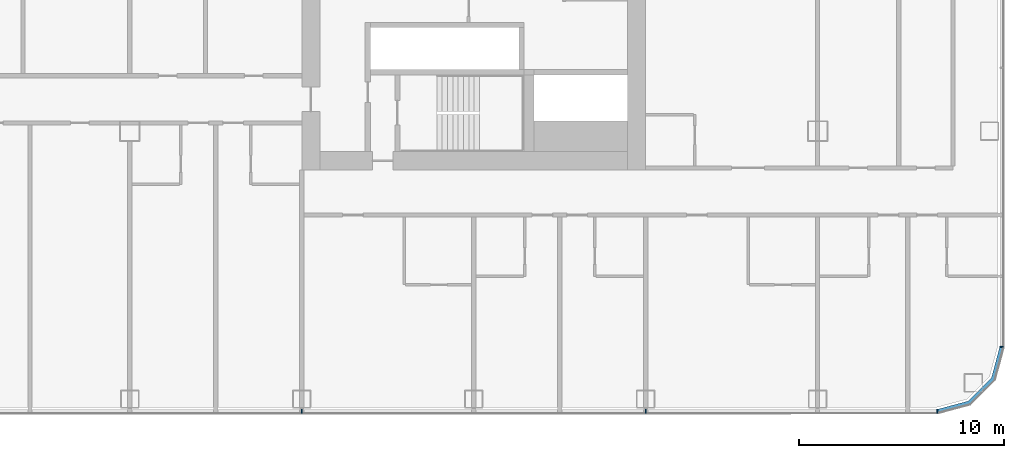
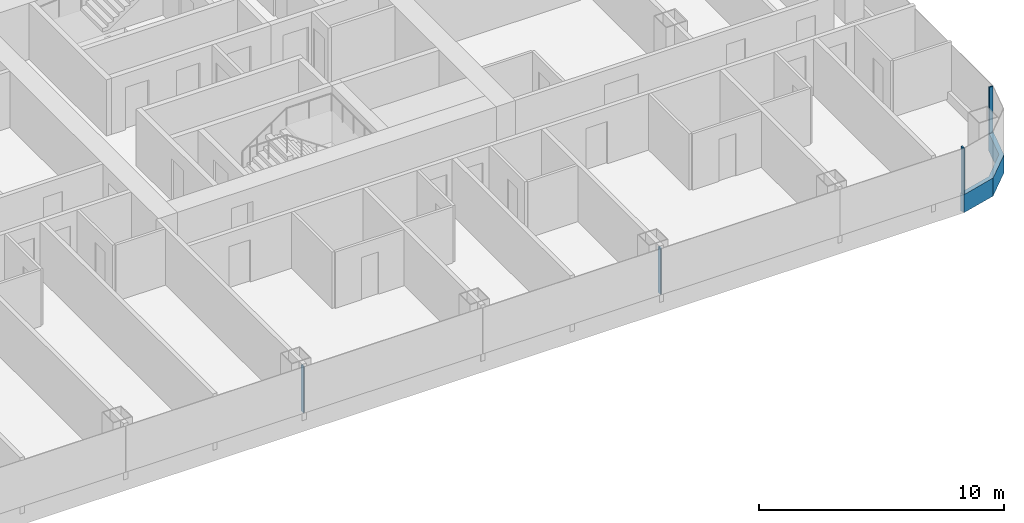
# One storey, part 9 of 28: 5 members, 3 elements without a shape of their own.
"""IFC4 building model written with IfcOpenShell, lengths in metres."""

import ifcopenshell
import ifcopenshell.guid

model = None  # the IFC model being written
_history = None  # IfcOwnerHistory: only IFC2X3 demands one
_inside = {}  # id of a spatial element -> (the spatial element, [elements in it])
_under = {}  # id of a project, library or spatial element -> (it, [spatial elements below it])
_declared = {}  # id of a project -> (the project, [libraries it declares])
_typed = {}  # id of a type object -> (the type object, [elements of that type])
_made_of = {}  # id of a material, layer set ... -> (it, [elements and type objects made of it])


def new_model(schema):
    """Start an empty IFC model of exactly this schema.

    Asked for "IFC4X3", IfcOpenShell would pick the latest addendum, in which some entities
    have other attributes; the version numbers below select the first issue.
    IFC2X3 requires an IfcOwnerHistory on every rooted entity: one is made here for all.
    """
    global model, _history
    if schema == "IFC4X3":
        model = ifcopenshell.file(schema_version=(4, 3, 0, 0))
    else:
        model = ifcopenshell.file(schema=schema)
    _inside.clear()
    _under.clear()
    _declared.clear()
    _typed.clear()
    _made_of.clear()
    _history = None
    if model.schema == "IFC2X3":
        org = make("IfcOrganization", Name="unknown")
        user = make(
            "IfcPersonAndOrganization",
            ThePerson=make("IfcPerson", FamilyName="unknown"),
            TheOrganization=org,
        )
        app = make(
            "IfcApplication",
            ApplicationDeveloper=org,
            Version="unknown",
            ApplicationFullName="unknown",
            ApplicationIdentifier="unknown",
        )
        _history = make(
            "IfcOwnerHistory",
            OwningUser=user,
            OwningApplication=app,
            ChangeAction="ADDED",
            CreationDate=0,
        )
    return model


def make(cls, **values):
    """One entity of the class cls with the attributes given. An attribute that is None is left unset."""
    return model.create_entity(
        cls, **{name: value for name, value in values.items() if value is not None}
    )


def rooted(cls, **values):
    """An entity with a GlobalId (a new one), such as an element, a storey or a relation."""
    return make(cls, GlobalId=ifcopenshell.guid.new(), OwnerHistory=_history, **values)


def si_unit(unit_type, name, prefix=None):
    """IfcSIUnit, for example si_unit("LENGTHUNIT", "METRE", prefix="MILLI")."""
    return make("IfcSIUnit", UnitType=unit_type, Prefix=prefix, Name=name)


def assignment(units):
    """IfcUnitAssignment: the units of a project."""
    return None if units is None else make("IfcUnitAssignment", Units=units)


def point(xyz):
    """IfcCartesianPoint."""
    return None if xyz is None else make("IfcCartesianPoint", Coordinates=xyz)


def direction(xyz):
    """IfcDirection."""
    return None if xyz is None else make("IfcDirection", DirectionRatios=xyz)


def frame(location, z_axis=None, x_axis=None):
    """IfcAxis2Placement3D, a coordinate frame: its origin and axes. An axis left out is left unset."""
    return make(
        "IfcAxis2Placement3D",
        Location=point(location),
        Axis=direction(z_axis),
        RefDirection=direction(x_axis),
    )


def frame_2d(location, x_axis=None):
    """IfcAxis2Placement2D, a coordinate frame in the plane: its origin and x axis."""
    return make(
        "IfcAxis2Placement2D", Location=point(location), RefDirection=direction(x_axis)
    )


def origin():
    """The frame at (0, 0, 0) with its axes left unset."""
    return frame((0.0, 0.0, 0.0))


def origin_2d():
    """The frame at (0, 0) in the plane with its x axis left unset."""
    return frame_2d((0.0, 0.0))


def place(relative_to, where):
    """IfcLocalPlacement: puts the frame where relative to a parent placement (None: the world)."""
    return make(
        "IfcLocalPlacement", PlacementRelTo=relative_to, RelativePlacement=where
    )


def context(
    kind, dimensions, precision=None, world=None, true_north=None, identifier=None
):
    """IfcGeometricRepresentationContext, for example the 3D "Model" context."""
    return make(
        "IfcGeometricRepresentationContext",
        ContextIdentifier=identifier,
        ContextType=kind,
        CoordinateSpaceDimension=dimensions,
        Precision=precision,
        WorldCoordinateSystem=world,
        TrueNorth=true_north,
    )


def subcontext(parent, identifier, kind, view, scale=None):
    """IfcGeometricRepresentationSubContext, for example "Body" below "Model"."""
    return make(
        "IfcGeometricRepresentationSubContext",
        ContextIdentifier=identifier,
        ContextType=kind,
        ParentContext=parent,
        TargetScale=scale,
        TargetView=view,
    )


def project(units=None, contexts=None):
    """IfcProject with its units and contexts."""
    return rooted(
        "IfcProject",
        Name="project",
        RepresentationContexts=contexts,
        UnitsInContext=assignment(units),
    )


def spatial(cls, under=None, at=None, **own):
    """A site, building, storey or space (cls), placed at a placement, below another one or the project."""
    s = rooted(cls, ObjectPlacement=at, **own)
    if under is not None:
        _under.setdefault(under.id(), (under, []))[1].append(s)
    return s


def polyline(points):
    """IfcPolyline through the points."""
    return make("IfcPolyline", Points=[point(p) for p in points])


def profile(cls, at=None, kind="AREA", **sizes):
    """A parametric profile (cls). Its sizes go by their IFC names, for example OverallWidth=200.0."""
    return make(cls, ProfileType=kind, Position=at, **sizes)


def rectangle(**sizes):
    """IfcRectangleProfileDef."""
    return profile("IfcRectangleProfileDef", **sizes)


def outline(outer, holes=None, kind="AREA"):
    """IfcArbitraryClosedProfileDef: a profile drawn as a closed curve; with holes, ...WithVoids."""
    if holes is None:
        return make("IfcArbitraryClosedProfileDef", ProfileType=kind, OuterCurve=outer)
    return make(
        "IfcArbitraryProfileDefWithVoids",
        ProfileType=kind,
        OuterCurve=outer,
        InnerCurves=holes,
    )


def extrude(swept, where, along, depth):
    """IfcExtrudedAreaSolid: the profile swept, set in the frame where, extruded along a direction by depth."""
    return make(
        "IfcExtrudedAreaSolid",
        SweptArea=swept,
        Position=where,
        ExtrudedDirection=direction(along),
        Depth=depth,
    )


def shape(context_of_items, identifier, shape_type, items):
    """IfcShapeRepresentation: the items that make up one representation, for example the "Body"."""
    return make(
        "IfcShapeRepresentation",
        ContextOfItems=context_of_items,
        RepresentationIdentifier=identifier,
        RepresentationType=shape_type,
        Items=items,
    )


def material(Name=None, Category=None):
    """IfcMaterial."""
    return make("IfcMaterial", Name=Name, Category=Category)


def layer(
    of_material, thickness, ventilated=None, Name=None, Category=None, Priority=None
):
    """IfcMaterialLayer: one layer of a wall or slab, of a material (None: an air gap)."""
    return make(
        "IfcMaterialLayer",
        Material=of_material,
        LayerThickness=thickness,
        IsVentilated=ventilated,
        Name=Name,
        Category=Category,
        Priority=Priority,
    )


def layer_set(layers, Name=None):
    """IfcMaterialLayerSet."""
    return make("IfcMaterialLayerSet", MaterialLayers=layers, LayerSetName=Name)


def material_profile(
    of_material, cross_section, Name=None, Category=None, Priority=None
):
    """IfcMaterialProfile: a cross section and its material."""
    return make(
        "IfcMaterialProfile",
        Name=Name,
        Material=of_material,
        Profile=cross_section,
        Priority=Priority,
        Category=Category,
    )


def profile_set(profiles, Name=None, composite=None):
    """IfcMaterialProfileSet."""
    return make(
        "IfcMaterialProfileSet",
        Name=Name,
        MaterialProfiles=profiles,
        CompositeProfile=composite,
    )


def made_of(thing, what):
    """Note that an element or type object is made of a material, layer set ...; save() writes the relation."""
    if what is not None:
        _made_of.setdefault(what.id(), (what, []))[1].append(thing)
    return thing


def type_object(cls, material=None, **own):
    """A type object (cls), such as IfcWallType, which elements share."""
    return made_of(rooted(cls, **own), material)


def element(
    cls,
    number,
    at=None,
    inside=None,
    cuts=None,
    type_object=None,
    material=None,
    context=None,
    identifier="Body",
    shape_type=None,
    held_by="IfcProductDefinitionShape",
    body=None,
    shapes=None,
    **own,
):
    """One element of the class cls, such as IfcWall. Its Tag is "e" and its number.

    at: its placement. inside: the storey or other place that contains it. cuts: it is an
    opening in that element (IfcRelVoidsElement). A single representation is given by context,
    identifier, shape_type and body (its items); several are given by shapes. held_by: the class
    of the entity that holds the representations. save() writes the other relations.
    """
    e = rooted(cls, Tag="e%d" % number, ObjectPlacement=at, **own)
    if body is not None:
        shapes = [shape(context, identifier, shape_type, body)]
    if shapes is not None:
        e.Representation = make(held_by, Representations=shapes)
    if inside is not None:
        _inside.setdefault(inside.id(), (inside, []))[1].append(e)
    if cuts is not None:
        rooted(
            "IfcRelVoidsElement", RelatingBuildingElement=cuts, RelatedOpeningElement=e
        )
    if type_object is not None:
        _typed.setdefault(type_object.id(), (type_object, []))[1].append(e)
    return made_of(e, material)


def aggregate(whole, parts):
    """IfcRelAggregates: a whole, such as a stair, and the parts it consists of."""
    return rooted("IfcRelAggregates", RelatingObject=whole, RelatedObjects=parts)


def save(model, path):
    """Write the relations noted so far, then the file.

    IfcRelAggregates (storeys below a building ...), IfcRelContainedInSpatialStructure (elements
    in a storey), IfcRelDefinesByType, IfcRelAssociatesMaterial and IfcRelDeclares: one each for
    every whole, place, type object, material and project.
    """
    for whole, parts in _under.values():
        aggregate(whole, parts)
    for where, things in _inside.values():
        rooted(
            "IfcRelContainedInSpatialStructure",
            RelatedElements=things,
            RelatingStructure=where,
        )
    for kind, things in _typed.values():
        rooted("IfcRelDefinesByType", RelatedObjects=things, RelatingType=kind)
    for what, things in _made_of.values():
        rooted("IfcRelAssociatesMaterial", RelatedObjects=things, RelatingMaterial=what)
    for by, libraries in _declared.values():
        rooted("IfcRelDeclares", RelatingContext=by, RelatedDefinitions=libraries)
    model.write(path)


model = new_model("IFC4")

# Units and contexts
model_context = context("Model", 3, precision=1e-05, world=origin(), true_north=direction((0.0, 1.0)))
body_context = subcontext(model_context, "Body", "Model", "MODEL_VIEW")
ifc_project = project(units=[si_unit("LENGTHUNIT", "METRE"), si_unit("AREAUNIT", "SQUARE_METRE"), si_unit("VOLUMEUNIT", "CUBIC_METRE"), si_unit("PLANEANGLEUNIT", "RADIAN"), si_unit("MASSUNIT", "GRAM", prefix="KILO")], contexts=[model_context])

# Site, building, storey
site_placement = place(None, origin())
site = spatial("IfcSite", under=ifc_project, at=site_placement, CompositionType="ELEMENT")
building_placement = place(site_placement, origin())
building = spatial("IfcBuilding", under=site, at=building_placement, Name="Hakoniwa Tower and Hamabe Station Hall", CompositionType="ELEMENT")
storey_placement = place(building_placement, frame((0.0, 0.0, 42.199951171875)))
storey = spatial("IfcBuildingStorey", under=building, at=storey_placement, Name="L11", CompositionType="ELEMENT", Elevation=42.199951171875)

# Curtain wall, member
ifc_material_1 = material(Name="Dark low-e laminated glass", Category="glass")
ifc_layer = layer(ifc_material_1, 0.199951171875)
ifc_layer_set = layer_set([ifc_layer], Name="CW-1 UNITISED GUEST")
curtain_wall_type = type_object("IfcCurtainWallType", Name="CW-1 UNITISED GUEST", PredefinedType="NOTDEFINED", material=ifc_layer_set)
curtain_wall_1_placement = place(storey_placement, origin())
curtain_wall_1 = element("IfcCurtainWall", 1, at=curtain_wall_1_placement, inside=storey, type_object=curtain_wall_type, Name="CW-1 curtain wall", PredefinedType="NOTDEFINED")
ifc_material_2 = material(Name="Aluminium 6063-T5 black anodised", Category="aluminium")
ifc_material_profile_1 = material_profile(ifc_material_2, rectangle(XDim=0.199951171875, YDim=0.89990234375, at=origin_2d()), Name="CW SLAB-EDGE BAND 900X200")
ifc_profile_set_1 = profile_set([ifc_material_profile_1], Name="Aluminium 6063-T5 black anodised")
member_type_1 = type_object("IfcMemberType", Name="CW SLAB-EDGE BAND 900X200", PredefinedType="USERDEFINED", material=ifc_profile_set_1)
member_1_placement = place(storey_placement, frame((0.0, 0.0, -0.550048828125)))
member_1 = element("IfcMember", 2, at=member_1_placement, type_object=member_type_1, Name="CW-1 transom", ObjectType="TRANSOM", PredefinedType="USERDEFINED", context=body_context, shape_type="SweptSolid", body=[
    extrude(outline(polyline([(47.839599609375, -20.300048828125), (49.455322265625, -19.866943359375), (50.6669921875, -18.6552734375), (51.10009765625, -17.03955078125), (50.90673828125, -16.98779296875), (50.48779296875, -18.5517578125), (49.351806640625, -19.687744140625), (47.787841796875, -20.10693359375), (47.839599609375, -20.300048828125)])), origin(), (0.0, 0.0, 1.0), 0.900146484375),
])
aggregate(curtain_wall_1, [member_1])

curtain_wall_2_placement = place(storey_placement, origin())
curtain_wall_2 = element("IfcCurtainWall", 3, at=curtain_wall_2_placement, inside=storey, type_object=curtain_wall_type, Name="CW-1 curtain wall", PredefinedType="NOTDEFINED")
ifc_material_3 = material(Name="Aluminium 6063-T5 black anodised", Category="aluminium")
ifc_material_profile_2 = material_profile(ifc_material_3, rectangle(XDim=0.06005859375, YDim=0.179931640625, at=origin_2d()), Name="CW-1 MULLION 60X180")
ifc_profile_set_2 = profile_set([ifc_material_profile_2], Name="Aluminium 6063-T5 black anodised")
member_type_2 = type_object("IfcMemberType", Name="CW-1 MULLION 60X180", PredefinedType="MULLION", material=ifc_profile_set_2)
member_2_placement = place(storey_placement, frame((50.98193359375, -17.03955078125, 0.35009765625), z_axis=(0.0, 0.0, 1.0), x_axis=(0.0, 1.0, 0.0)))
member_2 = element("IfcMember", 4, at=member_2_placement, type_object=member_type_2, Name="CW-1 mullion", PredefinedType="MULLION", context=body_context, shape_type="SweptSolid", body=[
    extrude(rectangle(XDim=0.06005859375, YDim=0.179931640625, at=origin_2d()), origin(), (0.0, 0.0, 1.0), 2.300048828125),
])
aggregate(curtain_wall_2, [member_2])

# Curtain wall, members
curtain_wall_3_placement = place(storey_placement, origin())
curtain_wall_3 = element("IfcCurtainWall", 5, at=curtain_wall_3_placement, inside=storey, type_object=curtain_wall_type, Name="CW-1 curtain wall", PredefinedType="NOTDEFINED")
member_3_placement = place(storey_placement, frame((16.800048828125, -20.181884765625, 0.35009765625), z_axis=(0.0, 0.0, 1.0), x_axis=(1.0, 0.0, 0.0)))
member_3 = element("IfcMember", 6, at=member_3_placement, type_object=member_type_2, Name="CW-1 mullion", PredefinedType="MULLION", context=body_context, shape_type="SweptSolid", body=[
    extrude(rectangle(XDim=0.06005859375, YDim=0.179931640625, at=origin_2d()), origin(), (0.0, 0.0, 1.0), 2.300048828125),
])
member_4_placement = place(storey_placement, frame((33.60009765625, -20.181884765625, 0.35009765625), z_axis=(0.0, 0.0, 1.0), x_axis=(1.0, 0.0, 0.0)))
member_4 = element("IfcMember", 7, at=member_4_placement, type_object=member_type_2, Name="CW-1 mullion", PredefinedType="MULLION", context=body_context, shape_type="SweptSolid", body=[
    extrude(rectangle(XDim=0.06005859375, YDim=0.179931640625, at=origin_2d()), origin(), (0.0, 0.0, 1.0), 2.300048828125),
])
member_5_placement = place(storey_placement, frame((47.839599609375, -20.181884765625, 0.35009765625), z_axis=(0.0, 0.0, 1.0), x_axis=(1.0, 0.0, 0.0)))
member_5 = element("IfcMember", 8, at=member_5_placement, type_object=member_type_2, Name="CW-1 mullion", PredefinedType="MULLION", context=body_context, shape_type="SweptSolid", body=[
    extrude(rectangle(XDim=0.06005859375, YDim=0.179931640625, at=origin_2d()), origin(), (0.0, 0.0, 1.0), 2.300048828125),
])
aggregate(curtain_wall_3, [member_3, member_4, member_5])

save(model, "model.ifc")
